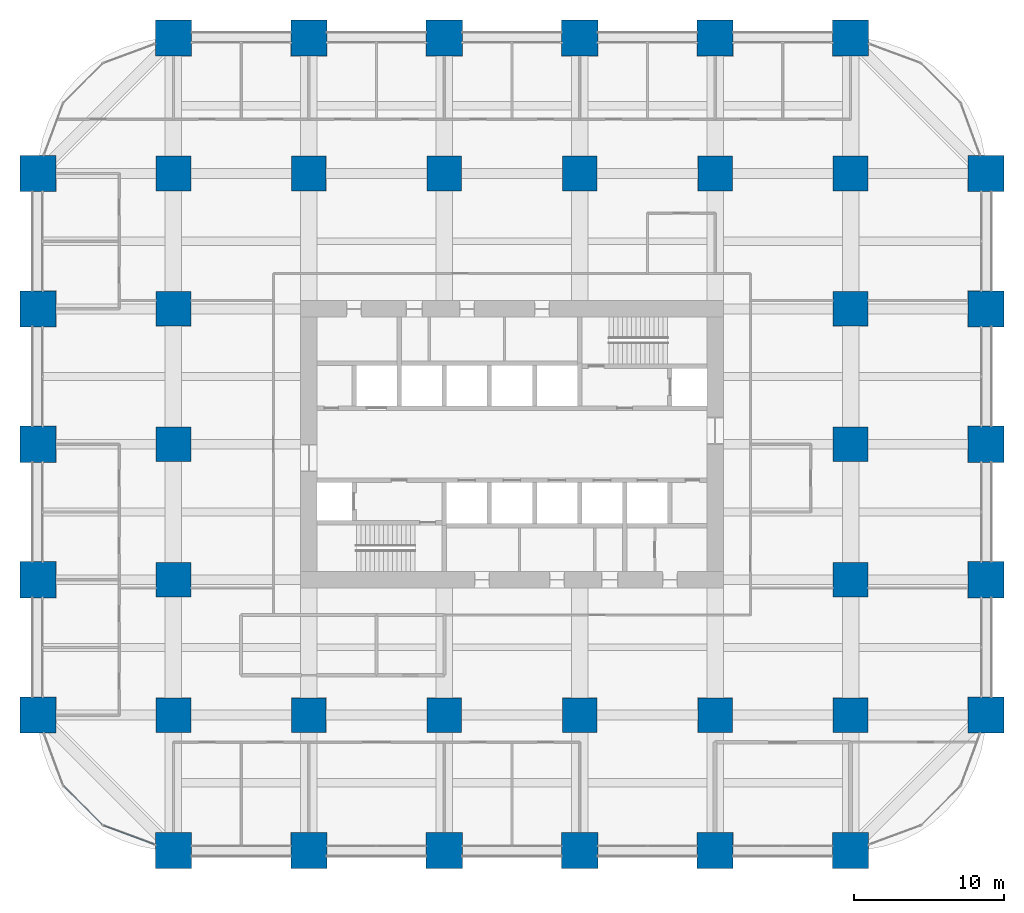
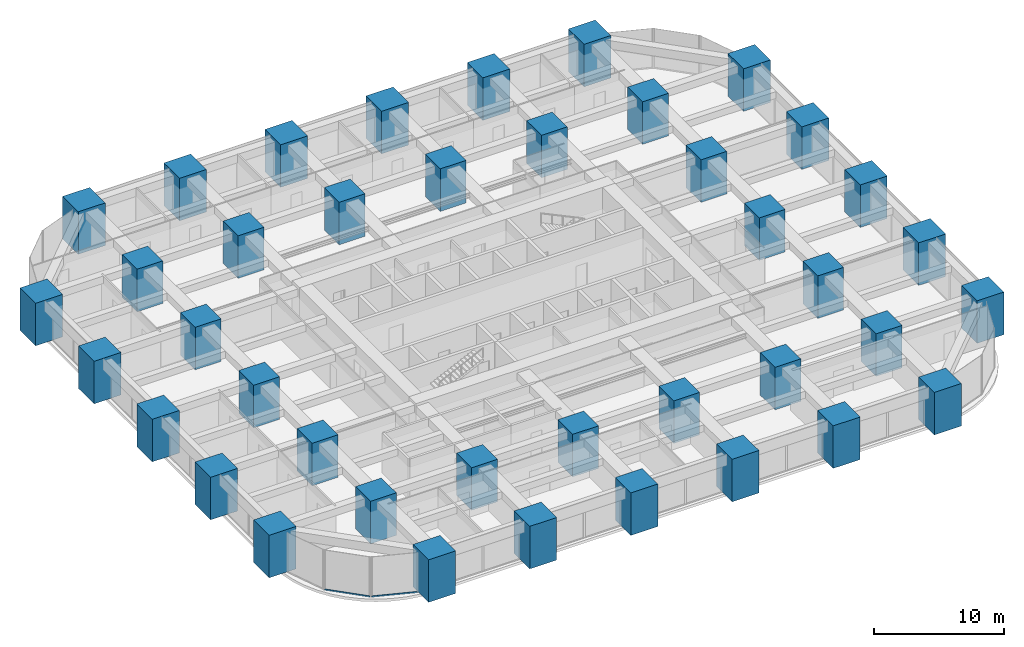
# One storey, part 1 of 44: 40 columns, 2 members, 2 elements without a shape of their own.
"""IFC4 building model written with IfcOpenShell, lengths in metres."""

import ifcopenshell
import ifcopenshell.guid

model = None  # the IFC model being written
_history = None  # IfcOwnerHistory: only IFC2X3 demands one
_inside = {}  # id of a spatial element -> (the spatial element, [elements in it])
_under = {}  # id of a project, library or spatial element -> (it, [spatial elements below it])
_declared = {}  # id of a project -> (the project, [libraries it declares])
_typed = {}  # id of a type object -> (the type object, [elements of that type])
_made_of = {}  # id of a material, layer set ... -> (it, [elements and type objects made of it])


def new_model(schema):
    """Start an empty IFC model of exactly this schema.

    Asked for "IFC4X3", IfcOpenShell would pick the latest addendum, in which some entities
    have other attributes; the version numbers below select the first issue.
    IFC2X3 requires an IfcOwnerHistory on every rooted entity: one is made here for all.
    """
    global model, _history
    if schema == "IFC4X3":
        model = ifcopenshell.file(schema_version=(4, 3, 0, 0))
    else:
        model = ifcopenshell.file(schema=schema)
    _inside.clear()
    _under.clear()
    _declared.clear()
    _typed.clear()
    _made_of.clear()
    _history = None
    if model.schema == "IFC2X3":
        org = make("IfcOrganization", Name="unknown")
        user = make(
            "IfcPersonAndOrganization",
            ThePerson=make("IfcPerson", FamilyName="unknown"),
            TheOrganization=org,
        )
        app = make(
            "IfcApplication",
            ApplicationDeveloper=org,
            Version="unknown",
            ApplicationFullName="unknown",
            ApplicationIdentifier="unknown",
        )
        _history = make(
            "IfcOwnerHistory",
            OwningUser=user,
            OwningApplication=app,
            ChangeAction="ADDED",
            CreationDate=0,
        )
    return model


def make(cls, **values):
    """One entity of the class cls with the attributes given. An attribute that is None is left unset."""
    return model.create_entity(
        cls, **{name: value for name, value in values.items() if value is not None}
    )


def rooted(cls, **values):
    """An entity with a GlobalId (a new one), such as an element, a storey or a relation."""
    return make(cls, GlobalId=ifcopenshell.guid.new(), OwnerHistory=_history, **values)


def si_unit(unit_type, name, prefix=None):
    """IfcSIUnit, for example si_unit("LENGTHUNIT", "METRE", prefix="MILLI")."""
    return make("IfcSIUnit", UnitType=unit_type, Prefix=prefix, Name=name)


def assignment(units):
    """IfcUnitAssignment: the units of a project."""
    return None if units is None else make("IfcUnitAssignment", Units=units)


def point(xyz):
    """IfcCartesianPoint."""
    return None if xyz is None else make("IfcCartesianPoint", Coordinates=xyz)


def direction(xyz):
    """IfcDirection."""
    return None if xyz is None else make("IfcDirection", DirectionRatios=xyz)


def frame(location, z_axis=None, x_axis=None):
    """IfcAxis2Placement3D, a coordinate frame: its origin and axes. An axis left out is left unset."""
    return make(
        "IfcAxis2Placement3D",
        Location=point(location),
        Axis=direction(z_axis),
        RefDirection=direction(x_axis),
    )


def frame_2d(location, x_axis=None):
    """IfcAxis2Placement2D, a coordinate frame in the plane: its origin and x axis."""
    return make(
        "IfcAxis2Placement2D", Location=point(location), RefDirection=direction(x_axis)
    )


def origin():
    """The frame at (0, 0, 0) with its axes left unset."""
    return frame((0.0, 0.0, 0.0))


def origin_2d():
    """The frame at (0, 0) in the plane with its x axis left unset."""
    return frame_2d((0.0, 0.0))


def place(relative_to, where):
    """IfcLocalPlacement: puts the frame where relative to a parent placement (None: the world)."""
    return make(
        "IfcLocalPlacement", PlacementRelTo=relative_to, RelativePlacement=where
    )


def context(
    kind, dimensions, precision=None, world=None, true_north=None, identifier=None
):
    """IfcGeometricRepresentationContext, for example the 3D "Model" context."""
    return make(
        "IfcGeometricRepresentationContext",
        ContextIdentifier=identifier,
        ContextType=kind,
        CoordinateSpaceDimension=dimensions,
        Precision=precision,
        WorldCoordinateSystem=world,
        TrueNorth=true_north,
    )


def subcontext(parent, identifier, kind, view, scale=None):
    """IfcGeometricRepresentationSubContext, for example "Body" below "Model"."""
    return make(
        "IfcGeometricRepresentationSubContext",
        ContextIdentifier=identifier,
        ContextType=kind,
        ParentContext=parent,
        TargetScale=scale,
        TargetView=view,
    )


def project(units=None, contexts=None):
    """IfcProject with its units and contexts."""
    return rooted(
        "IfcProject",
        Name="project",
        RepresentationContexts=contexts,
        UnitsInContext=assignment(units),
    )


def spatial(cls, under=None, at=None, **own):
    """A site, building, storey or space (cls), placed at a placement, below another one or the project."""
    s = rooted(cls, ObjectPlacement=at, **own)
    if under is not None:
        _under.setdefault(under.id(), (under, []))[1].append(s)
    return s


def profile(cls, at=None, kind="AREA", **sizes):
    """A parametric profile (cls). Its sizes go by their IFC names, for example OverallWidth=200.0."""
    return make(cls, ProfileType=kind, Position=at, **sizes)


def rectangle(**sizes):
    """IfcRectangleProfileDef."""
    return profile("IfcRectangleProfileDef", **sizes)


def hollow_rectangle(**sizes):
    """IfcRectangleHollowProfileDef."""
    return profile("IfcRectangleHollowProfileDef", **sizes)


def extrude(swept, where, along, depth):
    """IfcExtrudedAreaSolid: the profile swept, set in the frame where, extruded along a direction by depth."""
    return make(
        "IfcExtrudedAreaSolid",
        SweptArea=swept,
        Position=where,
        ExtrudedDirection=direction(along),
        Depth=depth,
    )


def shape(context_of_items, identifier, shape_type, items):
    """IfcShapeRepresentation: the items that make up one representation, for example the "Body"."""
    return make(
        "IfcShapeRepresentation",
        ContextOfItems=context_of_items,
        RepresentationIdentifier=identifier,
        RepresentationType=shape_type,
        Items=items,
    )


def material(Name=None, Category=None):
    """IfcMaterial."""
    return make("IfcMaterial", Name=Name, Category=Category)


def material_profile(
    of_material, cross_section, Name=None, Category=None, Priority=None
):
    """IfcMaterialProfile: a cross section and its material."""
    return make(
        "IfcMaterialProfile",
        Name=Name,
        Material=of_material,
        Profile=cross_section,
        Priority=Priority,
        Category=Category,
    )


def profile_set(profiles, Name=None, composite=None):
    """IfcMaterialProfileSet."""
    return make(
        "IfcMaterialProfileSet",
        Name=Name,
        MaterialProfiles=profiles,
        CompositeProfile=composite,
    )


def made_of(thing, what):
    """Note that an element or type object is made of a material, layer set ...; save() writes the relation."""
    if what is not None:
        _made_of.setdefault(what.id(), (what, []))[1].append(thing)
    return thing


def type_object(cls, material=None, **own):
    """A type object (cls), such as IfcWallType, which elements share."""
    return made_of(rooted(cls, **own), material)


def element(
    cls,
    number,
    at=None,
    inside=None,
    cuts=None,
    type_object=None,
    material=None,
    context=None,
    identifier="Body",
    shape_type=None,
    held_by="IfcProductDefinitionShape",
    body=None,
    shapes=None,
    **own,
):
    """One element of the class cls, such as IfcWall. Its Tag is "e" and its number.

    at: its placement. inside: the storey or other place that contains it. cuts: it is an
    opening in that element (IfcRelVoidsElement). A single representation is given by context,
    identifier, shape_type and body (its items); several are given by shapes. held_by: the class
    of the entity that holds the representations. save() writes the other relations.
    """
    e = rooted(cls, Tag="e%d" % number, ObjectPlacement=at, **own)
    if body is not None:
        shapes = [shape(context, identifier, shape_type, body)]
    if shapes is not None:
        e.Representation = make(held_by, Representations=shapes)
    if inside is not None:
        _inside.setdefault(inside.id(), (inside, []))[1].append(e)
    if cuts is not None:
        rooted(
            "IfcRelVoidsElement", RelatingBuildingElement=cuts, RelatedOpeningElement=e
        )
    if type_object is not None:
        _typed.setdefault(type_object.id(), (type_object, []))[1].append(e)
    return made_of(e, material)


def aggregate(whole, parts):
    """IfcRelAggregates: a whole, such as a stair, and the parts it consists of."""
    return rooted("IfcRelAggregates", RelatingObject=whole, RelatedObjects=parts)


def save(model, path):
    """Write the relations noted so far, then the file.

    IfcRelAggregates (storeys below a building ...), IfcRelContainedInSpatialStructure (elements
    in a storey), IfcRelDefinesByType, IfcRelAssociatesMaterial and IfcRelDeclares: one each for
    every whole, place, type object, material and project.
    """
    for whole, parts in _under.values():
        aggregate(whole, parts)
    for where, things in _inside.values():
        rooted(
            "IfcRelContainedInSpatialStructure",
            RelatedElements=things,
            RelatingStructure=where,
        )
    for kind, things in _typed.values():
        rooted("IfcRelDefinesByType", RelatedObjects=things, RelatingType=kind)
    for what, things in _made_of.values():
        rooted("IfcRelAssociatesMaterial", RelatedObjects=things, RelatingMaterial=what)
    for by, libraries in _declared.values():
        rooted("IfcRelDeclares", RelatingContext=by, RelatedDefinitions=libraries)
    model.write(path)


model = new_model("IFC4")

# Units and contexts
model_context = context("Model", 3, precision=1e-05, world=origin(), true_north=direction((0.0, 1.0)))
body_context = subcontext(model_context, "Body", "Model", "MODEL_VIEW")
ifc_project = project(units=[si_unit("LENGTHUNIT", "METRE"), si_unit("AREAUNIT", "SQUARE_METRE"), si_unit("VOLUMEUNIT", "CUBIC_METRE"), si_unit("PLANEANGLEUNIT", "RADIAN"), si_unit("MASSUNIT", "GRAM", prefix="KILO")], contexts=[model_context])

# Site, building, storey
site_placement = place(None, origin())
site = spatial("IfcSite", under=ifc_project, at=site_placement, CompositionType="ELEMENT")
building_placement = place(site_placement, origin())
building = spatial("IfcBuilding", under=site, at=building_placement, Name="Zorevar Civic Tower", CompositionType="ELEMENT")
storey_placement = place(building_placement, frame((0.0, 0.0, 31.800048828125)))
storey = spatial("IfcBuildingStorey", under=building, at=storey_placement, Name="L07", CompositionType="ELEMENT", Elevation=31.800048828125)

# Columns
ifc_material_1 = material(Name="Concrete C50/60", Category="concrete")
ifc_material_profile_1 = material_profile(ifc_material_1, rectangle(XDim=2.300048828125, YDim=2.300048828125, at=origin_2d()), Name="RC 2300x2300")
ifc_profile_set_1 = profile_set([ifc_material_profile_1], Name="Concrete C50/60")
column_type_1 = type_object("IfcColumnType", Name="Column RC 2300x2300", PredefinedType="COLUMN", material=ifc_profile_set_1)
for number, where, z_axis, x_axis, name in (
    (1, (9.0, 9.0, 0.0), (0.0, 0.0, 1.0), (1.0, 0.0, 0.0), "Column 3B L07"),
    (2, (9.0, 18.0, 0.0), (0.0, 0.0, 1.0), (1.0, 0.0, 0.0), "Column 3C L07"),
    (3, (9.0, 27.0, 0.0), (0.0, 0.0, 1.0), (1.0, 0.0, 0.0), "Column 3D L07"),
    (4, (9.0, 36.0, 0.0), (0.0, 0.0, 1.0), (1.0, 0.0, 0.0), "Column 3E L07"),
    (5, (9.0, 45.0, 0.0), (0.0, 0.0, 1.0), (1.0, 0.0, 0.0), "Column 3F L07"),
    (6, (18.0, 9.0, 0.0), (0.0, 0.0, 1.0), (1.0, 0.0, 0.0), "Column 4B L07"),
    (7, (18.0, 45.0, 0.0), (0.0, 0.0, 1.0), (1.0, 0.0, 0.0), "Column 4F L07"),
    (8, (27.0, 9.0, 0.0), (0.0, 0.0, 1.0), (1.0, 0.0, 0.0), "Column 5B L07"),
    (9, (27.0, 45.0, 0.0), (0.0, 0.0, 1.0), (1.0, 0.0, 0.0), "Column 5F L07"),
    (10, (36.0, 9.0, 0.0), (0.0, 0.0, 1.0), (1.0, 0.0, 0.0), "Column 6B L07"),
    (11, (36.0, 45.0, 0.0), (0.0, 0.0, 1.0), (1.0, 0.0, 0.0), "Column 6F L07"),
    (12, (45.0, 9.0, 0.0), (0.0, 0.0, 1.0), (1.0, 0.0, 0.0), "Column 7B L07"),
    (13, (45.0, 45.0, 0.0), (0.0, 0.0, 1.0), (1.0, 0.0, 0.0), "Column 7F L07"),
    (14, (54.0, 9.0, 0.0), (0.0, 0.0, 1.0), (1.0, 0.0, 0.0), "Column 8B L07"),
    (15, (54.0, 18.0, 0.0), (0.0, 0.0, 1.0), (1.0, 0.0, 0.0), "Column 8C L07"),
    (16, (54.0, 27.0, 0.0), (0.0, 0.0, 1.0), (1.0, 0.0, 0.0), "Column 8D L07"),
    (17, (54.0, 36.0, 0.0), (0.0, 0.0, 1.0), (1.0, 0.0, 0.0), "Column 8E L07"),
    (18, (54.0, 45.0, 0.0), (0.0, 0.0, 1.0), (1.0, 0.0, 0.0), "Column 8F L07"),
):
    element("IfcColumn", number, at=place(storey_placement, frame(where, z_axis=z_axis, x_axis=x_axis)), inside=storey, type_object=column_type_1, Name=name, PredefinedType="COLUMN", context=body_context, shape_type="SweptSolid", body=[
        extrude(rectangle(XDim=2.300048828125, YDim=2.300048828125, at=origin_2d()), origin(), (0.0, 0.0, 1.0), 4.0),
    ])
ifc_material_2 = material(Name="Concrete C50/60", Category="concrete")
ifc_material_profile_2 = material_profile(ifc_material_2, rectangle(XDim=2.39990234375, YDim=2.39990234375, at=origin_2d()), Name="RC 2400x2400")
ifc_profile_set_2 = profile_set([ifc_material_profile_2], Name="Concrete C50/60")
column_type_2 = type_object("IfcColumnType", Name="Column RC 2400x2400", PredefinedType="COLUMN", material=ifc_profile_set_2)
for number, where, z_axis, x_axis, name in (
    (19, (0.0, 9.0, 0.0), (0.0, 0.0, 1.0), (1.0, 0.0, 0.0), "Column 2B L07"),
    (20, (0.0, 18.0, 0.0), (0.0, 0.0, 1.0), (1.0, 0.0, 0.0), "Column 2C L07"),
    (21, (0.0, 27.0, 0.0), (0.0, 0.0, 1.0), (1.0, 0.0, 0.0), "Column 2D L07"),
    (22, (0.0, 36.0, 0.0), (0.0, 0.0, 1.0), (1.0, 0.0, 0.0), "Column 2E L07"),
    (23, (0.0, 45.0, 0.0), (0.0, 0.0, 1.0), (1.0, 0.0, 0.0), "Column 2F L07"),
    (24, (9.0, 0.0, 0.0), (0.0, 0.0, 1.0), (1.0, 0.0, 0.0), "Column 3A L07"),
    (25, (9.0, 54.0, 0.0), (0.0, 0.0, 1.0), (1.0, 0.0, 0.0), "Column 3G L07"),
    (26, (18.0, 0.0, 0.0), (0.0, 0.0, 1.0), (1.0, 0.0, 0.0), "Column 4A L07"),
    (27, (18.0, 54.0, 0.0), (0.0, 0.0, 1.0), (1.0, 0.0, 0.0), "Column 4G L07"),
    (28, (27.0, 0.0, 0.0), (0.0, 0.0, 1.0), (1.0, 0.0, 0.0), "Column 5A L07"),
    (29, (27.0, 54.0, 0.0), (0.0, 0.0, 1.0), (1.0, 0.0, 0.0), "Column 5G L07"),
    (30, (36.0, 0.0, 0.0), (0.0, 0.0, 1.0), (1.0, 0.0, 0.0), "Column 6A L07"),
    (31, (36.0, 54.0, 0.0), (0.0, 0.0, 1.0), (1.0, 0.0, 0.0), "Column 6G L07"),
    (32, (45.0, 0.0, 0.0), (0.0, 0.0, 1.0), (1.0, 0.0, 0.0), "Column 7A L07"),
    (33, (45.0, 54.0, 0.0), (0.0, 0.0, 1.0), (1.0, 0.0, 0.0), "Column 7G L07"),
    (34, (54.0, 0.0, 0.0), (0.0, 0.0, 1.0), (1.0, 0.0, 0.0), "Column 8A L07"),
    (35, (54.0, 54.0, 0.0), (0.0, 0.0, 1.0), (1.0, 0.0, 0.0), "Column 8G L07"),
    (36, (63.0, 9.0, 0.0), (0.0, 0.0, 1.0), (1.0, 0.0, 0.0), "Column 9B L07"),
    (37, (63.0, 18.0, 0.0), (0.0, 0.0, 1.0), (1.0, 0.0, 0.0), "Column 9C L07"),
    (38, (63.0, 27.0, 0.0), (0.0, 0.0, 1.0), (1.0, 0.0, 0.0), "Column 9D L07"),
    (39, (63.0, 36.0, 0.0), (0.0, 0.0, 1.0), (1.0, 0.0, 0.0), "Column 9E L07"),
    (40, (63.0, 45.0, 0.0), (0.0, 0.0, 1.0), (1.0, 0.0, 0.0), "Column 9F L07"),
):
    element("IfcColumn", number, at=place(storey_placement, frame(where, z_axis=z_axis, x_axis=x_axis)), inside=storey, type_object=column_type_2, Name=name, PredefinedType="COLUMN", context=body_context, shape_type="SweptSolid", body=[
        extrude(rectangle(XDim=2.39990234375, YDim=2.39990234375, at=origin_2d()), origin(), (0.0, 0.0, 1.0), 4.0),
    ])

# Curtain wall, member
ifc_material_3 = material(Name="Dark grey solar-control glass in black aluminium frame", Category="aluminium")
curtain_wall_type = type_object("IfcCurtainWallType", Name="Curtain wall CW2 low zone", PredefinedType="NOTDEFINED", material=ifc_material_3)
curtain_wall_1_placement = place(storey_placement, origin())
curtain_wall_1 = element("IfcCurtainWall", 41, at=curtain_wall_1_placement, inside=storey, type_object=curtain_wall_type, Name="CW2 L07", PredefinedType="NOTDEFINED")
ifc_material_4 = material(Name="Aluminium, black anodised", Category="aluminium")
ifc_material_profile_3 = material_profile(ifc_material_4, hollow_rectangle(XDim=0.06005859375, YDim=0.14990234375, WallThickness=0.00390625, at=origin_2d()), Name="AL 150x60x4")
ifc_profile_set_3 = profile_set([ifc_material_profile_3], Name="Aluminium, black anodised")
member_type = type_object("IfcMemberType", Name="CW2 transom AL 150x60x4", PredefinedType="USERDEFINED", material=ifc_profile_set_3)
member_1_placement = place(storey_placement, frame((1.716552734375, 4.264892578125, 0.030029296875), z_axis=(0.707106781187, -0.707106781187, 0.0), x_axis=(0.707106781187, 0.707106781187, 0.0)))
member_1 = element("IfcMember", 42, at=member_1_placement, type_object=member_type, Name="CW2 sill transom", ObjectType="TRANSOM", PredefinedType="USERDEFINED", context=body_context, shape_type="SweptSolid", body=[
    extrude(hollow_rectangle(XDim=0.06005859375, YDim=0.14990234375, WallThickness=0.00390625, at=origin_2d()), origin(), (0.0, 0.0, 1.0), 3.60400390625),
])
aggregate(curtain_wall_1, [member_1])

curtain_wall_2_placement = place(storey_placement, origin())
curtain_wall_2 = element("IfcCurtainWall", 43, at=curtain_wall_2_placement, inside=storey, type_object=curtain_wall_type, Name="CW2 L07", PredefinedType="NOTDEFINED")
member_2_placement = place(storey_placement, frame((4.363525390625, 1.6533203125, 0.030029296875), z_axis=(0.93798635741, -0.346672169799, 0.0), x_axis=(0.346672169799, 0.93798635741, 0.0)))
member_2 = element("IfcMember", 44, at=member_2_placement, type_object=member_type, Name="CW2 sill transom", ObjectType="TRANSOM", PredefinedType="USERDEFINED", context=body_context, shape_type="SweptSolid", body=[
    extrude(hollow_rectangle(XDim=0.06005859375, YDim=0.14990234375, WallThickness=0.00390625, at=origin_2d()), origin(), (0.0, 0.0, 1.0), 3.603515625),
])
aggregate(curtain_wall_2, [member_2])

save(model, "model.ifc")
